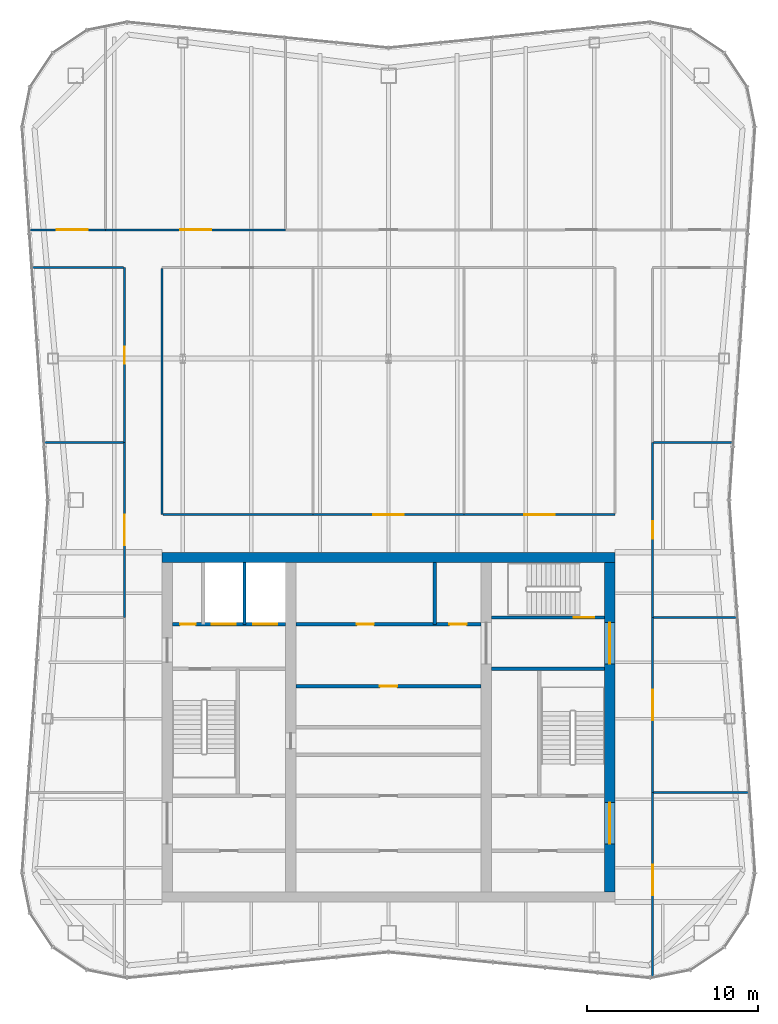
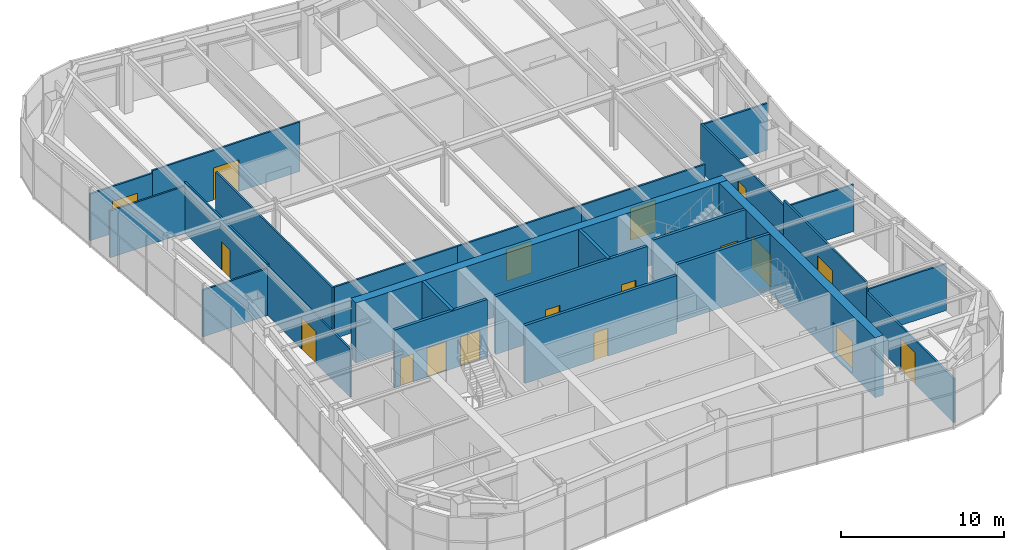
# One storey, part 10 of 13: 25 walls, 18 doors, 18 openings.
"""IFC4 building model written with IfcOpenShell, lengths in metres."""

from ifc_helpers import new_model, si_unit, direction, frame, frame_2d, origin, place, context, subcontext, project, spatial, rectangle, extrude, material, layer, layer_set, type_object, element, fill, save


model = new_model("IFC4")

# Units and contexts
model_context = context("Model", 3, precision=1e-05, world=origin(), true_north=direction((0.0, 1.0)))
body_context = subcontext(model_context, "Body", "Model", "MODEL_VIEW")
ifc_project = project(units=[si_unit("LENGTHUNIT", "METRE"), si_unit("AREAUNIT", "SQUARE_METRE"), si_unit("VOLUMEUNIT", "CUBIC_METRE"), si_unit("PLANEANGLEUNIT", "RADIAN"), si_unit("MASSUNIT", "GRAM", prefix="KILO")], contexts=[model_context])

# Site, building, storey
site_placement = place(None, origin())
site = spatial("IfcSite", under=ifc_project, at=site_placement, CompositionType="ELEMENT")
building_placement = place(site_placement, origin())
building = spatial("IfcBuilding", under=site, at=building_placement, Name="Verdant Reach Tower", CompositionType="ELEMENT")
storey_placement = place(building_placement, frame((0.0, 0.0, 359.5)))
storey = spatial("IfcBuildingStorey", under=building, at=storey_placement, Name="L81 Plant", CompositionType="ELEMENT", Elevation=359.5)

# Wall, opening, door
ifc_material_1 = material(Name="Gypsum board on steel studs", Category="steel")
ifc_layer_1 = layer(ifc_material_1, 0.199951171875)
ifc_layer_set_1 = layer_set([ifc_layer_1], Name="CO-WALL-ROOM")
wall_type_1 = type_object("IfcWallType", Name="CO-WALL-ROOM", PredefinedType="PARTITIONING", material=ifc_layer_set_1)
wall_1_placement = place(storey_placement, frame((-5.39990234375, 30.39990234375, 0.0), z_axis=(0.0, 0.0, 1.0), x_axis=(1.0, 0.0, 0.0)))
wall_1 = element("IfcWall", 1, at=wall_1_placement, inside=storey, type_object=wall_type_1, Name="Core partition, L81 Plant", PredefinedType="PARTITIONING", context=body_context, shape_type="SweptSolid", body=[
    extrude(rectangle(XDim=10.7998046875, YDim=0.199951171875, at=frame_2d((5.39990234375, 0.0))), origin(), (0.0, 0.0, 1.0), 4.35009765625),
])
opening_1_placement = place(wall_1_placement, frame((4.89990234375, 0.0, 0.0)))
opening_1 = element("IfcOpeningElement", 2, at=opening_1_placement, cuts=wall_1, Name="Opening CD", PredefinedType="OPENING", context=body_context, shape_type="SweptSolid", body=[
    extrude(rectangle(XDim=1.0, YDim=2.10009765625, at=frame_2d((0.5, 1.050048828125))), frame((0.0, 0.10986328125, 0.0), z_axis=(0.0, -1.0, 0.0), x_axis=(1.0, 0.0, 0.0)), (0.0, 0.0, 1.0), 0.219970703125),
])
ifc_material_2 = material(Name="Timber", Category="wood")
door_type_1 = type_object("IfcDoorType", Name="CO-DOOR-ROOM", OperationType="NOTDEFINED", PredefinedType="DOOR", material=ifc_material_2)
door_1_placement = place(opening_1_placement, origin())
door_1 = element("IfcDoor", 3, at=door_1_placement, inside=storey, type_object=door_type_1, Name="Core room door, L81 Plant", OperationType="SINGLE_SWING_LEFT", OverallHeight=2.10009765625, OverallWidth=1.0, PredefinedType="DOOR", context=body_context, shape_type="SweptSolid", body=[
    extrude(rectangle(XDim=1.0, YDim=2.10009765625, at=frame_2d((0.5, 1.050048828125))), frame((0.0, 0.02490234375, 0.0), z_axis=(0.0, -1.0, 0.0), x_axis=(1.0, 0.0, 0.0)), (0.0, 0.0, 1.0), 0.050048828125),
])
fill(opening_1, door_1)

# Wall, openings, doors
wall_2_placement = place(storey_placement, frame((-5.39990234375, 34.0, 0.0), z_axis=(0.0, 0.0, 1.0), x_axis=(1.0, 0.0, 0.0)))
wall_2 = element("IfcWall", 4, at=wall_2_placement, inside=storey, type_object=wall_type_1, Name="Core partition, L81 Plant", PredefinedType="PARTITIONING", context=body_context, shape_type="SweptSolid", body=[
    extrude(rectangle(XDim=10.7998046875, YDim=0.199951171875, at=frame_2d((5.39990234375, 0.0))), origin(), (0.0, 0.0, 1.0), 4.35009765625),
])
opening_2_placement = place(wall_2_placement, frame((3.550048828125, 0.0, 0.0)))
opening_2 = element("IfcOpeningElement", 5, at=opening_2_placement, cuts=wall_2, Name="Opening CD", PredefinedType="OPENING", context=body_context, shape_type="SweptSolid", body=[
    extrude(rectangle(XDim=1.0, YDim=2.10009765625, at=frame_2d((0.5, 1.050048828125))), frame((0.0, 0.10986328125, 0.0), z_axis=(0.0, -1.0, 0.0), x_axis=(1.0, 0.0, 0.0)), (0.0, 0.0, 1.0), 0.219970703125),
])
opening_3_placement = place(wall_2_placement, frame((8.949951171875, 0.0, 0.0)))
opening_3 = element("IfcOpeningElement", 6, at=opening_3_placement, cuts=wall_2, Name="Opening CD", PredefinedType="OPENING", context=body_context, shape_type="SweptSolid", body=[
    extrude(rectangle(XDim=1.0, YDim=2.10009765625, at=frame_2d((0.5, 1.050048828125))), frame((0.0, 0.10986328125, 0.0), z_axis=(0.0, -1.0, 0.0), x_axis=(1.0, 0.0, 0.0)), (0.0, 0.0, 1.0), 0.219970703125),
])
door_2_placement = place(opening_2_placement, origin())
door_2 = element("IfcDoor", 7, at=door_2_placement, inside=storey, type_object=door_type_1, Name="Core room door, L81 Plant", OperationType="SINGLE_SWING_LEFT", OverallHeight=2.10009765625, OverallWidth=1.0, PredefinedType="DOOR", context=body_context, shape_type="SweptSolid", body=[
    extrude(rectangle(XDim=1.0, YDim=2.10009765625, at=frame_2d((0.5, 1.050048828125))), frame((0.0, 0.02490234375, 0.0), z_axis=(0.0, -1.0, 0.0), x_axis=(1.0, 0.0, 0.0)), (0.0, 0.0, 1.0), 0.050048828125),
])
fill(opening_2, door_2)
door_3_placement = place(opening_3_placement, origin())
door_3 = element("IfcDoor", 8, at=door_3_placement, inside=storey, type_object=door_type_1, Name="Core room door, L81 Plant", OperationType="SINGLE_SWING_LEFT", OverallHeight=2.10009765625, OverallWidth=1.0, PredefinedType="DOOR", context=body_context, shape_type="SweptSolid", body=[
    extrude(rectangle(XDim=1.0, YDim=2.10009765625, at=frame_2d((0.5, 1.050048828125))), frame((0.0, 0.02490234375, 0.0), z_axis=(0.0, -1.0, 0.0), x_axis=(1.0, 0.0, 0.0)), (0.0, 0.0, 1.0), 0.050048828125),
])
fill(opening_3, door_3)

# Wall
wall_3_placement = place(storey_placement, frame((2.699951171875, 34.0, 0.0), z_axis=(0.0, 0.0, 1.0), x_axis=(0.0, 1.0, 0.0)))
element("IfcWall", 9, at=wall_3_placement, inside=storey, type_object=wall_type_1, Name="Core partition, L81 Plant", PredefinedType="PARTITIONING", context=body_context, shape_type="SweptSolid", body=[
    extrude(rectangle(XDim=3.60009765625, YDim=0.199951171875, at=frame_2d((1.800048828125, 0.0))), origin(), (0.0, 0.0, 1.0), 4.35009765625),
])

# Wall, openings, doors
ifc_material_3 = material(Name="Concrete C40/50", Category="concrete")
ifc_layer_2 = layer(ifc_material_3, 0.199951171875)
ifc_layer_set_2 = layer_set([ifc_layer_2], Name="CO-WALL-SHAFT")
wall_type_2 = type_object("IfcWallType", Name="CO-WALL-SHAFT", PredefinedType="PARTITIONING", material=ifc_layer_set_2)
wall_4_placement = place(storey_placement, frame((-12.60009765625, 34.0, 0.0), z_axis=(0.0, 0.0, 1.0), x_axis=(1.0, 0.0, 0.0)))
wall_4 = element("IfcWall", 10, at=wall_4_placement, inside=storey, type_object=wall_type_2, Name="Lift shaft wall, L81 Plant", PredefinedType="PARTITIONING", context=body_context, shape_type="SweptSolid", body=[
    extrude(rectangle(XDim=6.60009765625, YDim=0.199951171875, at=frame_2d((3.300048828125, 0.0))), origin(), (0.0, 0.0, 1.0), 4.35009765625),
])
opening_4_placement = place(wall_4_placement, frame((4.699951171875, 0.0, 0.0)))
opening_4 = element("IfcOpeningElement", 11, at=opening_4_placement, cuts=wall_4, Name="Opening LD-F1", PredefinedType="OPENING", context=body_context, shape_type="SweptSolid", body=[
    extrude(rectangle(XDim=1.39990234375, YDim=2.199951171875, at=frame_2d((0.699951171875, 1.10009765625))), frame((0.0, 0.10986328125, 0.0), z_axis=(0.0, -1.0, 0.0), x_axis=(1.0, 0.0, 0.0)), (0.0, 0.0, 1.0), 0.219970703125),
])
opening_5_placement = place(wall_4_placement, frame((2.300048828125, 0.0, 0.0)))
opening_5 = element("IfcOpeningElement", 12, at=opening_5_placement, cuts=wall_4, Name="Opening LD-F2", PredefinedType="OPENING", context=body_context, shape_type="SweptSolid", body=[
    extrude(rectangle(XDim=1.39990234375, YDim=2.199951171875, at=frame_2d((0.699951171875, 1.10009765625))), frame((0.0, 0.10986328125, 0.0), z_axis=(0.0, -1.0, 0.0), x_axis=(1.0, 0.0, 0.0)), (0.0, 0.0, 1.0), 0.219970703125),
])
opening_6_placement = place(wall_4_placement, frame((0.449951171875, 0.0, 0.0)))
opening_6 = element("IfcOpeningElement", 13, at=opening_6_placement, cuts=wall_4, Name="Opening RD", PredefinedType="OPENING", context=body_context, shape_type="SweptSolid", body=[
    extrude(rectangle(XDim=0.89990234375, YDim=2.10009765625, at=frame_2d((0.449951171875, 1.050048828125))), frame((0.0, 0.10986328125, 0.0), z_axis=(0.0, -1.0, 0.0), x_axis=(1.0, 0.0, 0.0)), (0.0, 0.0, 1.0), 0.219970703125),
])
ifc_material_4 = material(Name="Stainless steel", Category="steel")
door_type_2 = type_object("IfcDoorType", Name="CO-DOOR-LANDING-FF", OperationType="SLIDING_TO_LEFT", PredefinedType="DOOR", material=ifc_material_4)
door_4_placement = place(opening_4_placement, origin())
door_4 = element("IfcDoor", 14, at=door_4_placement, inside=storey, type_object=door_type_2, Name="Landing door F1, L81 Plant", OperationType="SLIDING_TO_LEFT", OverallHeight=2.199951171875, OverallWidth=1.39990234375, PredefinedType="DOOR", context=body_context, shape_type="SweptSolid", body=[
    extrude(rectangle(XDim=1.39990234375, YDim=2.199951171875, at=frame_2d((0.699951171875, 1.10009765625))), frame((0.0, 0.02490234375, 0.0), z_axis=(0.0, -1.0, 0.0), x_axis=(1.0, 0.0, 0.0)), (0.0, 0.0, 1.0), 0.050048828125),
])
fill(opening_4, door_4)
door_5_placement = place(opening_5_placement, origin())
door_5 = element("IfcDoor", 15, at=door_5_placement, inside=storey, type_object=door_type_2, Name="Landing door F2, L81 Plant", OperationType="SLIDING_TO_LEFT", OverallHeight=2.199951171875, OverallWidth=1.39990234375, PredefinedType="DOOR", context=body_context, shape_type="SweptSolid", body=[
    extrude(rectangle(XDim=1.39990234375, YDim=2.199951171875, at=frame_2d((0.699951171875, 1.10009765625))), frame((0.0, 0.02490234375, 0.0), z_axis=(0.0, -1.0, 0.0), x_axis=(1.0, 0.0, 0.0)), (0.0, 0.0, 1.0), 0.050048828125),
])
fill(opening_5, door_5)
ifc_material_5 = material(Name="Steel", Category="steel")
door_type_3 = type_object("IfcDoorType", Name="CO-DOOR-RISER", OperationType="NOTDEFINED", PredefinedType="DOOR", material=ifc_material_5)
door_6_placement = place(opening_6_placement, origin())
door_6 = element("IfcDoor", 16, at=door_6_placement, inside=storey, type_object=door_type_3, Name="Core room door, L81 Plant", OperationType="SINGLE_SWING_LEFT", OverallHeight=2.10009765625, OverallWidth=0.89990234375, PredefinedType="DOOR", context=body_context, shape_type="SweptSolid", body=[
    extrude(rectangle(XDim=0.89990234375, YDim=2.10009765625, at=frame_2d((0.449951171875, 1.050048828125))), frame((0.0, 0.02490234375, 0.0), z_axis=(0.0, -1.0, 0.0), x_axis=(1.0, 0.0, 0.0)), (0.0, 0.0, 1.0), 0.050048828125),
])
fill(opening_6, door_6)

# Walls
wall_5_placement = place(storey_placement, frame((-8.39990234375, 34.0, 0.0), z_axis=(0.0, 0.0, 1.0), x_axis=(0.0, 1.0, 0.0)))
element("IfcWall", 17, at=wall_5_placement, inside=storey, type_object=wall_type_2, Name="Lift shaft wall, L81 Plant", PredefinedType="PARTITIONING", context=body_context, shape_type="SweptSolid", body=[
    extrude(rectangle(XDim=3.60009765625, YDim=0.199951171875, at=frame_2d((1.800048828125, 0.0))), origin(), (0.0, 0.0, 1.0), 4.35009765625),
])
ifc_layer_3 = layer(ifc_material_3, 0.199951171875)
ifc_layer_set_3 = layer_set([ifc_layer_3], Name="CO-WALL-STAIR")
wall_type_3 = type_object("IfcWallType", Name="CO-WALL-STAIR", PredefinedType="PARTITIONING", material=ifc_layer_set_3)
wall_6_placement = place(storey_placement, frame((6.0, 31.39990234375, 0.0), z_axis=(0.0, 0.0, 1.0), x_axis=(1.0, 0.0, 0.0)))
element("IfcWall", 18, at=wall_6_placement, inside=storey, type_object=wall_type_3, Name="Stair enclosure wall, L81 Plant", PredefinedType="PARTITIONING", context=body_context, shape_type="SweptSolid", body=[
    extrude(rectangle(XDim=6.60009765625, YDim=0.199951171875, at=frame_2d((3.300048828125, 0.0))), origin(), (0.0, 0.0, 1.0), 4.35009765625),
])

# Wall, opening, door
wall_7_placement = place(storey_placement, frame((6.0, 34.39990234375, 0.0), z_axis=(0.0, 0.0, 1.0), x_axis=(1.0, 0.0, 0.0)))
wall_7 = element("IfcWall", 19, at=wall_7_placement, inside=storey, type_object=wall_type_3, Name="Stair enclosure wall, L81 Plant", PredefinedType="PARTITIONING", context=body_context, shape_type="SweptSolid", body=[
    extrude(rectangle(XDim=6.60009765625, YDim=0.199951171875, at=frame_2d((3.300048828125, 0.0))), origin(), (0.0, 0.0, 1.0), 4.35009765625),
])
opening_7_placement = place(wall_7_placement, frame((4.800048828125, 0.0, 0.0)))
opening_7 = element("IfcOpeningElement", 20, at=opening_7_placement, cuts=wall_7, Name="Opening SD", PredefinedType="OPENING", context=body_context, shape_type="SweptSolid", body=[
    extrude(rectangle(XDim=1.199951171875, YDim=2.199951171875, at=frame_2d((0.60009765625, 1.10009765625))), frame((0.0, 0.10986328125, 0.0), z_axis=(0.0, -1.0, 0.0), x_axis=(1.0, 0.0, 0.0)), (0.0, 0.0, 1.0), 0.219970703125),
])
door_type_4 = type_object("IfcDoorType", Name="CO-DOOR-STAIR", OperationType="NOTDEFINED", PredefinedType="DOOR", material=ifc_material_5)
door_7_placement = place(opening_7_placement, origin())
door_7 = element("IfcDoor", 21, at=door_7_placement, inside=storey, type_object=door_type_4, Name="Stair door, L81 Plant", OperationType="SINGLE_SWING_LEFT", OverallHeight=2.199951171875, OverallWidth=1.199951171875, PredefinedType="DOOR", context=body_context, shape_type="SweptSolid", body=[
    extrude(rectangle(XDim=1.199951171875, YDim=2.199951171875, at=frame_2d((0.60009765625, 1.10009765625))), frame((0.0, 0.02490234375, 0.0), z_axis=(0.0, -1.0, 0.0), x_axis=(1.0, 0.0, 0.0)), (0.0, 0.0, 1.0), 0.050048828125),
])
fill(opening_7, door_7)

# Wall
ifc_material_6 = material(Name="Concrete C70/85", Category="concrete")
ifc_layer_4 = layer(ifc_material_6, 0.60009765625)
ifc_layer_set_4 = layer_set([ifc_layer_4], Name="ST-CORE-WALL-600")
wall_type_4 = type_object("IfcWallType", Name="ST-CORE-WALL-600", PredefinedType="SHEAR", material=ifc_layer_set_4)
wall_8_placement = place(storey_placement, frame((-13.199951171875, 37.89990234375, -0.14990234375), z_axis=(0.0, 0.0, 1.0), x_axis=(1.0, 0.0, 0.0)))
element("IfcWall", 22, at=wall_8_placement, inside=storey, type_object=wall_type_4, Name="Core wall N, L81 Plant", PredefinedType="SHEAR", context=body_context, shape_type="SweptSolid", body=[
    extrude(rectangle(XDim=26.39990234375, YDim=0.60009765625, at=frame_2d((13.199951171875, 0.0))), origin(), (0.0, 0.0, 1.0), 4.5),
])

# Wall, openings, doors
wall_9_placement = place(storey_placement, frame((12.89990234375, 18.39990234375, -0.14990234375), z_axis=(0.0, 0.0, 1.0), x_axis=(0.0, 1.0, 0.0)))
wall_9 = element("IfcWall", 23, at=wall_9_placement, inside=storey, type_object=wall_type_4, Name="Core wall E, L81 Plant", PredefinedType="SHEAR", context=body_context, shape_type="SweptSolid", body=[
    extrude(rectangle(XDim=19.2001953125, YDim=0.60009765625, at=frame_2d((9.60009765625, 0.0))), origin(), (0.0, 0.0, 1.0), 4.5),
])
opening_8_placement = place(wall_9_placement, frame((2.800048828125, 0.0, 0.14990234375)))
opening_8 = element("IfcOpeningElement", 24, at=opening_8_placement, cuts=wall_9, Name="Opening LB", PredefinedType="OPENING", context=body_context, shape_type="SweptSolid", body=[
    extrude(rectangle(XDim=2.39990234375, YDim=2.39990234375, at=frame_2d((1.199951171875, 1.199951171875))), frame((0.0, 0.31005859375, 0.0), z_axis=(0.0, -1.0, 0.0), x_axis=(1.0, 0.0, 0.0)), (0.0, 0.0, 1.0), 0.6201171875),
])
opening_9_placement = place(wall_9_placement, frame((13.300048828125, 0.0, 0.14990234375)))
opening_9 = element("IfcOpeningElement", 25, at=opening_9_placement, cuts=wall_9, Name="Opening LB", PredefinedType="OPENING", context=body_context, shape_type="SweptSolid", body=[
    extrude(rectangle(XDim=2.39990234375, YDim=2.39990234375, at=frame_2d((1.199951171875, 1.199951171875))), frame((0.0, 0.31005859375, 0.0), z_axis=(0.0, -1.0, 0.0), x_axis=(1.0, 0.0, 0.0)), (0.0, 0.0, 1.0), 0.6201171875),
])
ifc_material_7 = material(Name="Glass and steel", Category="steel")
door_type_5 = type_object("IfcDoorType", Name="CO-DOOR-LOBBY", OperationType="DOUBLE_DOOR_SINGLE_SWING", PredefinedType="DOOR", material=ifc_material_7)
door_8_placement = place(opening_8_placement, origin())
door_8 = element("IfcDoor", 26, at=door_8_placement, inside=storey, type_object=door_type_5, Name="Core entrance door, L81 Plant", OperationType="DOUBLE_DOOR_SINGLE_SWING", OverallHeight=2.39990234375, OverallWidth=2.39990234375, PredefinedType="DOOR", context=body_context, shape_type="SweptSolid", body=[
    extrude(rectangle(XDim=2.39990234375, YDim=2.39990234375, at=frame_2d((1.199951171875, 1.199951171875))), frame((0.0, 0.02490234375, 0.0), z_axis=(0.0, -1.0, 0.0), x_axis=(1.0, 0.0, 0.0)), (0.0, 0.0, 1.0), 0.050048828125),
])
fill(opening_8, door_8)
door_9_placement = place(opening_9_placement, origin())
door_9 = element("IfcDoor", 27, at=door_9_placement, inside=storey, type_object=door_type_5, Name="Core entrance door, L81 Plant", OperationType="DOUBLE_DOOR_SINGLE_SWING", OverallHeight=2.39990234375, OverallWidth=2.39990234375, PredefinedType="DOOR", context=body_context, shape_type="SweptSolid", body=[
    extrude(rectangle(XDim=2.39990234375, YDim=2.39990234375, at=frame_2d((1.199951171875, 1.199951171875))), frame((0.0, 0.02490234375, 0.0), z_axis=(0.0, -1.0, 0.0), x_axis=(1.0, 0.0, 0.0)), (0.0, 0.0, 1.0), 0.050048828125),
])
fill(opening_9, door_9)

# Walls
ifc_material_8 = material(Name="Gypsum board on steel studs, fire rated", Category="steel")
ifc_layer_5 = layer(ifc_material_8, 0.125)
ifc_layer_set_5 = layer_set([ifc_layer_5], Name="SV-W2 Plant wall 125 EI 60")
wall_type_5 = type_object("IfcWallType", Name="SV-W2 Plant wall 125 EI 60", PredefinedType="PARTITIONING", material=ifc_layer_set_5)
wall_10_placement = place(storey_placement, frame((-13.199951171875, 54.737548828125, 0.0), z_axis=(0.0, 0.0, 1.0), x_axis=(0.0, -1.0, 0.0)))
element("IfcWall", 28, at=wall_10_placement, inside=storey, type_object=wall_type_5, Name="Partition L81.02", PredefinedType="PARTITIONING", context=body_context, shape_type="SweptSolid", body=[
    extrude(rectangle(XDim=14.337646484375, YDim=0.125, at=frame_2d((7.1689453125, 0.0))), origin(), (0.0, 0.0, 1.0), 3.830078125),
])
wall_11_placement = place(storey_placement, frame((-13.137451171875, 40.39990234375, 0.0), z_axis=(0.0, 0.0, 1.0), x_axis=(1.0, 0.0, 0.0)))
element("IfcWall", 29, at=wall_11_placement, inside=storey, type_object=wall_type_5, Name="Partition L81.03", PredefinedType="PARTITIONING", context=body_context, shape_type="SweptSolid", body=[
    extrude(rectangle(XDim=8.737548828125, YDim=0.125, at=frame_2d((4.36865234375, 0.0))), origin(), (0.0, 0.0, 1.0), 3.8701171875),
])

# Wall, opening, door
wall_12_placement = place(storey_placement, frame((4.39990234375, 40.39990234375, 0.0), z_axis=(0.0, 0.0, 1.0), x_axis=(-1.0, 0.0, 0.0)))
wall_12 = element("IfcWall", 30, at=wall_12_placement, inside=storey, type_object=wall_type_5, Name="Partition L81.04", PredefinedType="PARTITIONING", context=body_context, shape_type="SweptSolid", body=[
    extrude(rectangle(XDim=8.7998046875, YDim=0.125, at=frame_2d((4.39990234375, 0.0))), origin(), (0.0, 0.0, 1.0), 3.8701171875),
])
opening_10_placement = place(wall_12_placement, frame((3.5, 0.0, 0.0)))
opening_10 = element("IfcOpeningElement", 31, at=opening_10_placement, cuts=wall_12, Name="Opening SD3", PredefinedType="OPENING", context=body_context, shape_type="SweptSolid", body=[
    extrude(rectangle(XDim=1.800048828125, YDim=2.39990234375, at=frame_2d((0.89990234375, 1.199951171875))), frame((0.0, 0.072509765625, 0.0), z_axis=(0.0, -1.0, 0.0), x_axis=(1.0, 0.0, 0.0)), (0.0, 0.0, 1.0), 0.14501953125),
])
ifc_material_9 = material(Name="Steel door leaves, fire rated", Category="steel")
door_type_6 = type_object("IfcDoorType", Name="SV-D3 Equipment door 1800x2400 FD60", OperationType="DOUBLE_DOOR_SINGLE_SWING", PredefinedType="DOOR", material=ifc_material_9)
door_10_placement = place(opening_10_placement, origin())
door_10 = element("IfcDoor", 32, at=door_10_placement, inside=storey, type_object=door_type_6, Name="Door L81-002", OperationType="DOUBLE_DOOR_SINGLE_SWING", OverallHeight=2.39990234375, OverallWidth=1.800048828125, PredefinedType="DOOR", context=body_context, shape_type="SweptSolid", body=[
    extrude(rectangle(XDim=1.800048828125, YDim=2.39990234375, at=frame_2d((0.89990234375, 1.199951171875))), frame((0.0, 0.02490234375, 0.0), z_axis=(0.0, -1.0, 0.0), x_axis=(1.0, 0.0, 0.0)), (0.0, 0.0, 1.0), 0.050048828125),
])
fill(opening_10, door_10)

wall_13_placement = place(storey_placement, frame((13.199951171875, 40.39990234375, 0.0), z_axis=(0.0, 0.0, 1.0), x_axis=(-1.0, 0.0, 0.0)))
wall_13 = element("IfcWall", 33, at=wall_13_placement, inside=storey, type_object=wall_type_5, Name="Partition L81.06", PredefinedType="PARTITIONING", context=body_context, shape_type="SweptSolid", body=[
    extrude(rectangle(XDim=8.800048828125, YDim=0.125, at=frame_2d((4.39990234375, 0.0))), origin(), (0.0, 0.0, 1.0), 3.8701171875),
])
opening_11_placement = place(wall_13_placement, frame((3.5, 0.0, 0.0)))
opening_11 = element("IfcOpeningElement", 34, at=opening_11_placement, cuts=wall_13, Name="Opening SD3", PredefinedType="OPENING", context=body_context, shape_type="SweptSolid", body=[
    extrude(rectangle(XDim=1.800048828125, YDim=2.39990234375, at=frame_2d((0.89990234375, 1.199951171875))), frame((0.0, 0.072509765625, 0.0), z_axis=(0.0, -1.0, 0.0), x_axis=(1.0, 0.0, 0.0)), (0.0, 0.0, 1.0), 0.14501953125),
])
door_11_placement = place(opening_11_placement, origin())
door_11 = element("IfcDoor", 35, at=door_11_placement, inside=storey, type_object=door_type_6, Name="Door L81-003", OperationType="DOUBLE_DOOR_SINGLE_SWING", OverallHeight=2.39990234375, OverallWidth=1.800048828125, PredefinedType="DOOR", context=body_context, shape_type="SweptSolid", body=[
    extrude(rectangle(XDim=1.800048828125, YDim=2.39990234375, at=frame_2d((0.89990234375, 1.199951171875))), frame((0.0, 0.02490234375, 0.0), z_axis=(0.0, -1.0, 0.0), x_axis=(1.0, 0.0, 0.0)), (0.0, 0.0, 1.0), 0.050048828125),
])
fill(opening_11, door_11)

wall_14_placement = place(storey_placement, frame((-15.39990234375, 44.60009765625, 0.0), z_axis=(0.0, 0.0, 1.0), x_axis=(0.0, -1.0, 0.0)))
wall_14 = element("IfcWall", 36, at=wall_14_placement, inside=storey, type_object=wall_type_5, Name="Partition L81.11", PredefinedType="PARTITIONING", context=body_context, shape_type="SweptSolid", body=[
    extrude(rectangle(XDim=10.2001953125, YDim=0.125, at=frame_2d((5.10009765625, 0.0))), origin(), (0.0, 0.0, 1.0), 3.6201171875),
])
opening_12_placement = place(wall_14_placement, frame((4.199951171875, 0.0, 0.0)))
opening_12 = element("IfcOpeningElement", 37, at=opening_12_placement, cuts=wall_14, Name="Opening SD3", PredefinedType="OPENING", context=body_context, shape_type="SweptSolid", body=[
    extrude(rectangle(XDim=1.800048828125, YDim=2.39990234375, at=frame_2d((0.89990234375, 1.199951171875))), frame((0.0, 0.072509765625, 0.0), z_axis=(0.0, -1.0, 0.0), x_axis=(1.0, 0.0, 0.0)), (0.0, 0.0, 1.0), 0.14501953125),
])
door_12_placement = place(opening_12_placement, origin())
door_12 = element("IfcDoor", 38, at=door_12_placement, inside=storey, type_object=door_type_6, Name="Door L81-006", OperationType="DOUBLE_DOOR_SINGLE_SWING", OverallHeight=2.39990234375, OverallWidth=1.800048828125, PredefinedType="DOOR", context=body_context, shape_type="SweptSolid", body=[
    extrude(rectangle(XDim=1.800048828125, YDim=2.39990234375, at=frame_2d((0.89990234375, 1.199951171875))), frame((0.0, 0.02490234375, 0.0), z_axis=(0.0, -1.0, 0.0), x_axis=(1.0, 0.0, 0.0)), (0.0, 0.0, 1.0), 0.050048828125),
])
fill(opening_12, door_12)

wall_15_placement = place(storey_placement, frame((-15.39990234375, 54.800048828125, 0.0), z_axis=(0.0, 0.0, 1.0), x_axis=(0.0, -1.0, 0.0)))
wall_15 = element("IfcWall", 39, at=wall_15_placement, inside=storey, type_object=wall_type_5, Name="Partition L81.12", PredefinedType="PARTITIONING", context=body_context, shape_type="SweptSolid", body=[
    extrude(rectangle(XDim=10.199951171875, YDim=0.125, at=frame_2d((5.10009765625, 0.0))), origin(), (0.0, 0.0, 1.0), 3.830078125),
])
opening_13_placement = place(wall_15_placement, frame((4.60009765625, 0.0, 0.0)))
opening_13 = element("IfcOpeningElement", 40, at=opening_13_placement, cuts=wall_15, Name="Opening SD2", PredefinedType="OPENING", context=body_context, shape_type="SweptSolid", body=[
    extrude(rectangle(XDim=1.0, YDim=2.10009765625, at=frame_2d((0.5, 1.050048828125))), frame((0.0, 0.072509765625, 0.0), z_axis=(0.0, -1.0, 0.0), x_axis=(1.0, 0.0, 0.0)), (0.0, 0.0, 1.0), 0.14501953125),
])
ifc_material_10 = material(Name="Steel door leaf, fire rated", Category="steel")
door_type_7 = type_object("IfcDoorType", Name="SV-D2 Door 1000x2100 FD60", OperationType="NOTDEFINED", PredefinedType="DOOR", material=ifc_material_10)
door_13_placement = place(opening_13_placement, origin())
door_13 = element("IfcDoor", 41, at=door_13_placement, inside=storey, type_object=door_type_7, Name="Door L81-007", OperationType="SINGLE_SWING_LEFT", OverallHeight=2.10009765625, OverallWidth=1.0, PredefinedType="DOOR", context=body_context, shape_type="SweptSolid", body=[
    extrude(rectangle(XDim=1.0, YDim=2.10009765625, at=frame_2d((0.5, 1.050048828125))), frame((0.0, 0.02490234375, 0.0), z_axis=(0.0, -1.0, 0.0), x_axis=(1.0, 0.0, 0.0)), (0.0, 0.0, 1.0), 0.050048828125),
])
fill(opening_13, door_13)

# Wall
wall_16_placement = place(storey_placement, frame((-15.46240234375, 54.800048828125, 0.0), z_axis=(0.0, 0.0, 1.0), x_axis=(-1.0, 0.0, 0.0)))
element("IfcWall", 42, at=wall_16_placement, inside=storey, type_object=wall_type_5, Name="Partition L81.13", PredefinedType="PARTITIONING", context=body_context, shape_type="SweptSolid", body=[
    extrude(rectangle(XDim=5.302001953125, YDim=0.125, at=frame_2d((2.65087890625, 0.0))), origin(), (0.0, 0.0, 1.0), 3.52001953125),
])

# Wall, opening, door
wall_17_placement = place(storey_placement, frame((15.39990234375, 13.44970703125, 0.0), z_axis=(0.0, 0.0, 1.0), x_axis=(0.0, 1.0, 0.0)))
wall_17 = element("IfcWall", 43, at=wall_17_placement, inside=storey, type_object=wall_type_5, Name="Partition L81.14", PredefinedType="PARTITIONING", context=body_context, shape_type="SweptSolid", body=[
    extrude(rectangle(XDim=10.750244140625, YDim=0.125, at=frame_2d((5.375, 0.0))), origin(), (0.0, 0.0, 1.0), 3.31201171875),
])
opening_14_placement = place(wall_17_placement, frame((4.74462890625, 0.0, 0.0)))
opening_14 = element("IfcOpeningElement", 44, at=opening_14_placement, cuts=wall_17, Name="Opening SD3", PredefinedType="OPENING", context=body_context, shape_type="SweptSolid", body=[
    extrude(rectangle(XDim=1.800048828125, YDim=2.39990234375, at=frame_2d((0.89990234375, 1.199951171875))), frame((0.0, 0.072509765625, 0.0), z_axis=(0.0, -1.0, 0.0), x_axis=(1.0, 0.0, 0.0)), (0.0, 0.0, 1.0), 0.14501953125),
])
door_14_placement = place(opening_14_placement, origin())
door_14 = element("IfcDoor", 45, at=door_14_placement, inside=storey, type_object=door_type_6, Name="Door L81-008", OperationType="DOUBLE_DOOR_SINGLE_SWING", OverallHeight=2.39990234375, OverallWidth=1.800048828125, PredefinedType="DOOR", context=body_context, shape_type="SweptSolid", body=[
    extrude(rectangle(XDim=1.800048828125, YDim=2.39990234375, at=frame_2d((0.89990234375, 1.199951171875))), frame((0.0, 0.02490234375, 0.0), z_axis=(0.0, -1.0, 0.0), x_axis=(1.0, 0.0, 0.0)), (0.0, 0.0, 1.0), 0.050048828125),
])
fill(opening_14, door_14)

wall_18_placement = place(storey_placement, frame((15.39990234375, 24.199951171875, 0.0), z_axis=(0.0, 0.0, 1.0), x_axis=(0.0, 1.0, 0.0)))
wall_18 = element("IfcWall", 46, at=wall_18_placement, inside=storey, type_object=wall_type_5, Name="Partition L81.15", PredefinedType="PARTITIONING", context=body_context, shape_type="SweptSolid", body=[
    extrude(rectangle(XDim=10.199951171875, YDim=0.125, at=frame_2d((5.10009765625, 0.0))), origin(), (0.0, 0.0, 1.0), 4.02001953125),
])
opening_15_placement = place(wall_18_placement, frame((4.199951171875, 0.0, 0.0)))
opening_15 = element("IfcOpeningElement", 47, at=opening_15_placement, cuts=wall_18, Name="Opening SD3", PredefinedType="OPENING", context=body_context, shape_type="SweptSolid", body=[
    extrude(rectangle(XDim=1.800048828125, YDim=2.39990234375, at=frame_2d((0.89990234375, 1.199951171875))), frame((0.0, 0.072509765625, 0.0), z_axis=(0.0, -1.0, 0.0), x_axis=(1.0, 0.0, 0.0)), (0.0, 0.0, 1.0), 0.14501953125),
])
door_15_placement = place(opening_15_placement, origin())
door_15 = element("IfcDoor", 48, at=door_15_placement, inside=storey, type_object=door_type_6, Name="Door L81-009", OperationType="DOUBLE_DOOR_SINGLE_SWING", OverallHeight=2.39990234375, OverallWidth=1.800048828125, PredefinedType="DOOR", context=body_context, shape_type="SweptSolid", body=[
    extrude(rectangle(XDim=1.800048828125, YDim=2.39990234375, at=frame_2d((0.89990234375, 1.199951171875))), frame((0.0, 0.02490234375, 0.0), z_axis=(0.0, -1.0, 0.0), x_axis=(1.0, 0.0, 0.0)), (0.0, 0.0, 1.0), 0.050048828125),
])
fill(opening_15, door_15)

wall_19_placement = place(storey_placement, frame((15.39990234375, 34.39990234375, 0.0), z_axis=(0.0, 0.0, 1.0), x_axis=(0.0, 1.0, 0.0)))
wall_19 = element("IfcWall", 49, at=wall_19_placement, inside=storey, type_object=wall_type_5, Name="Partition L81.16", PredefinedType="PARTITIONING", context=body_context, shape_type="SweptSolid", body=[
    extrude(rectangle(XDim=10.2001953125, YDim=0.125, at=frame_2d((5.10009765625, 0.0))), origin(), (0.0, 0.0, 1.0), 3.6201171875),
])
opening_16_placement = place(wall_19_placement, frame((4.60009765625, 0.0, 0.0)))
opening_16 = element("IfcOpeningElement", 50, at=opening_16_placement, cuts=wall_19, Name="Opening SD4", PredefinedType="OPENING", context=body_context, shape_type="SweptSolid", body=[
    extrude(rectangle(XDim=1.0, YDim=2.10009765625, at=frame_2d((0.5, 1.050048828125))), frame((0.0, 0.072509765625, 0.0), z_axis=(0.0, -1.0, 0.0), x_axis=(1.0, 0.0, 0.0)), (0.0, 0.0, 1.0), 0.14501953125),
])
door_type_8 = type_object("IfcDoorType", Name="SV-D4 Door 1000x2100 FD120", OperationType="NOTDEFINED", PredefinedType="DOOR", material=ifc_material_10)
door_16_placement = place(opening_16_placement, origin())
door_16 = element("IfcDoor", 51, at=door_16_placement, inside=storey, type_object=door_type_8, Name="Door L81-010", OperationType="SINGLE_SWING_RIGHT", OverallHeight=2.10009765625, OverallWidth=1.0, PredefinedType="DOOR", context=body_context, shape_type="SweptSolid", body=[
    extrude(rectangle(XDim=1.0, YDim=2.10009765625, at=frame_2d((0.5, 1.050048828125))), frame((0.0, 0.02490234375, 0.0), z_axis=(0.0, -1.0, 0.0), x_axis=(1.0, 0.0, 0.0)), (0.0, 0.0, 1.0), 0.050048828125),
])
fill(opening_16, door_16)

wall_20_placement = place(storey_placement, frame((-16.5, 57.0, 0.0), z_axis=(0.0, 0.0, 1.0), x_axis=(-1.0, 0.0, 0.0)))
wall_20 = element("IfcWall", 52, at=wall_20_placement, inside=storey, type_object=wall_type_5, Name="Partition L81.19", PredefinedType="PARTITIONING", context=body_context, shape_type="SweptSolid", body=[
    extrude(rectangle(XDim=4.416259765625, YDim=0.125, at=frame_2d((2.2080078125, 0.0))), origin(), (0.0, 0.0, 1.0), 3.52001953125),
])
opening_17_placement = place(wall_20_placement, frame((1.04248046875, 0.0, 0.0)))
opening_17 = element("IfcOpeningElement", 53, at=opening_17_placement, cuts=wall_20, Name="Opening SD3", PredefinedType="OPENING", context=body_context, shape_type="SweptSolid", body=[
    extrude(rectangle(XDim=1.800048828125, YDim=2.39990234375, at=frame_2d((0.89990234375, 1.199951171875))), frame((0.0, 0.072509765625, 0.0), z_axis=(0.0, -1.0, 0.0), x_axis=(1.0, 0.0, 0.0)), (0.0, 0.0, 1.0), 0.14501953125),
])
door_17_placement = place(opening_17_placement, origin())
door_17 = element("IfcDoor", 54, at=door_17_placement, inside=storey, type_object=door_type_6, Name="Door L81-012", OperationType="DOUBLE_DOOR_SINGLE_SWING", OverallHeight=2.39990234375, OverallWidth=1.800048828125, PredefinedType="DOOR", context=body_context, shape_type="SweptSolid", body=[
    extrude(rectangle(XDim=1.800048828125, YDim=2.39990234375, at=frame_2d((0.89990234375, 1.199951171875))), frame((0.0, 0.02490234375, 0.0), z_axis=(0.0, -1.0, 0.0), x_axis=(1.0, 0.0, 0.0)), (0.0, 0.0, 1.0), 0.050048828125),
])
fill(opening_17, door_17)

wall_21_placement = place(storey_placement, frame((-6.0, 57.0, 0.0), z_axis=(0.0, 0.0, 1.0), x_axis=(-1.0, 0.0, 0.0)))
wall_21 = element("IfcWall", 55, at=wall_21_placement, inside=storey, type_object=wall_type_5, Name="Partition L81.20", PredefinedType="PARTITIONING", context=body_context, shape_type="SweptSolid", body=[
    extrude(rectangle(XDim=10.5, YDim=0.125, at=frame_2d((5.25, 0.0))), origin(), (0.0, 0.0, 1.0), 3.719970703125),
])
opening_18_placement = place(wall_21_placement, frame((4.35009765625, 0.0, 0.0)))
opening_18 = element("IfcOpeningElement", 56, at=opening_18_placement, cuts=wall_21, Name="Opening SD3", PredefinedType="OPENING", context=body_context, shape_type="SweptSolid", body=[
    extrude(rectangle(XDim=1.800048828125, YDim=2.39990234375, at=frame_2d((0.89990234375, 1.199951171875))), frame((0.0, 0.072509765625, 0.0), z_axis=(0.0, -1.0, 0.0), x_axis=(1.0, 0.0, 0.0)), (0.0, 0.0, 1.0), 0.14501953125),
])
door_18_placement = place(opening_18_placement, origin())
door_18 = element("IfcDoor", 57, at=door_18_placement, inside=storey, type_object=door_type_6, Name="Door L81-013", OperationType="DOUBLE_DOOR_SINGLE_SWING", OverallHeight=2.39990234375, OverallWidth=1.800048828125, PredefinedType="DOOR", context=body_context, shape_type="SweptSolid", body=[
    extrude(rectangle(XDim=1.800048828125, YDim=2.39990234375, at=frame_2d((0.89990234375, 1.199951171875))), frame((0.0, 0.02490234375, 0.0), z_axis=(0.0, -1.0, 0.0), x_axis=(1.0, 0.0, 0.0)), (0.0, 0.0, 1.0), 0.050048828125),
])
fill(opening_18, door_18)

# Walls
wall_22_placement = place(storey_placement, frame((-20.06103515625, 44.60009765625, 0.0), z_axis=(0.0, 0.0, 1.0), x_axis=(1.0, 0.0, 0.0)))
element("IfcWall", 58, at=wall_22_placement, inside=storey, type_object=wall_type_5, Name="Partition L81.28", PredefinedType="PARTITIONING", context=body_context, shape_type="SweptSolid", body=[
    extrude(rectangle(XDim=4.5986328125, YDim=0.125, at=frame_2d((2.29931640625, 0.0))), origin(), (0.0, 0.0, 1.0), 3.52001953125),
])
wall_23_placement = place(storey_placement, frame((15.46240234375, 24.199951171875, 0.0), z_axis=(0.0, 0.0, 1.0), x_axis=(1.0, 0.0, 0.0)))
element("IfcWall", 59, at=wall_23_placement, inside=storey, type_object=wall_type_5, Name="Partition L81.29", PredefinedType="PARTITIONING", context=body_context, shape_type="SweptSolid", body=[
    extrude(rectangle(XDim=5.54345703125, YDim=0.125, at=frame_2d((2.771728515625, 0.0))), origin(), (0.0, 0.0, 1.0), 3.52001953125),
])
wall_24_placement = place(storey_placement, frame((15.46240234375, 34.39990234375, 0.0), z_axis=(0.0, 0.0, 1.0), x_axis=(1.0, 0.0, 0.0)))
element("IfcWall", 60, at=wall_24_placement, inside=storey, type_object=wall_type_5, Name="Partition L81.30", PredefinedType="PARTITIONING", context=body_context, shape_type="SweptSolid", body=[
    extrude(rectangle(XDim=4.840087890625, YDim=0.125, at=frame_2d((2.419921875, 0.0))), origin(), (0.0, 0.0, 1.0), 3.52001953125),
])
wall_25_placement = place(storey_placement, frame((15.46240234375, 44.60009765625, 0.0), z_axis=(0.0, 0.0, 1.0), x_axis=(1.0, 0.0, 0.0)))
element("IfcWall", 61, at=wall_25_placement, inside=storey, type_object=wall_type_5, Name="Partition L81.31", PredefinedType="PARTITIONING", context=body_context, shape_type="SweptSolid", body=[
    extrude(rectangle(XDim=4.5986328125, YDim=0.125, at=frame_2d((2.29931640625, 0.0))), origin(), (0.0, 0.0, 1.0), 3.52001953125),
])

save(model, "model.ifc")
